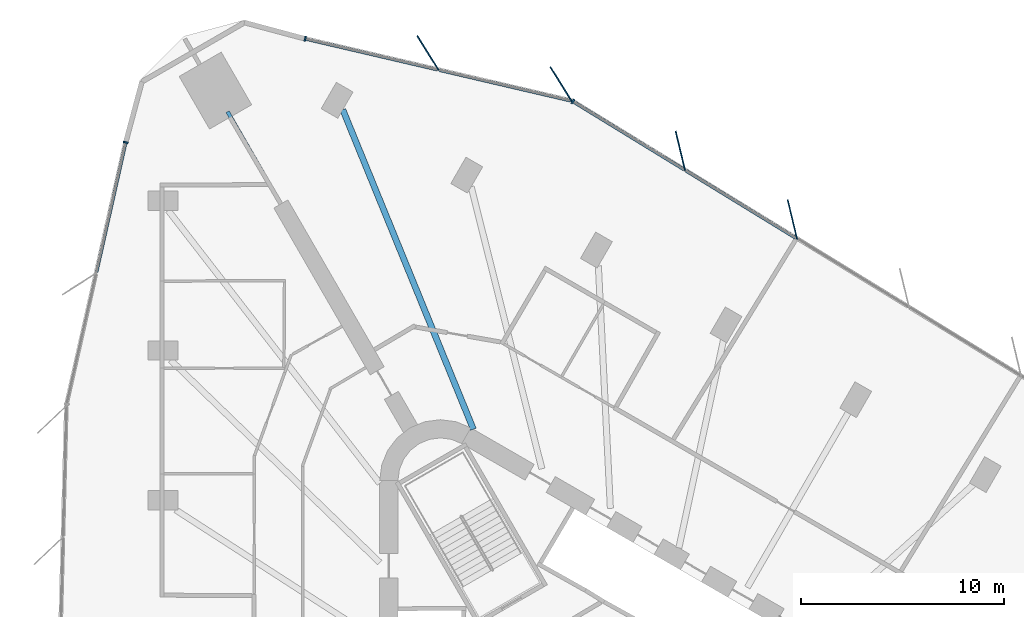
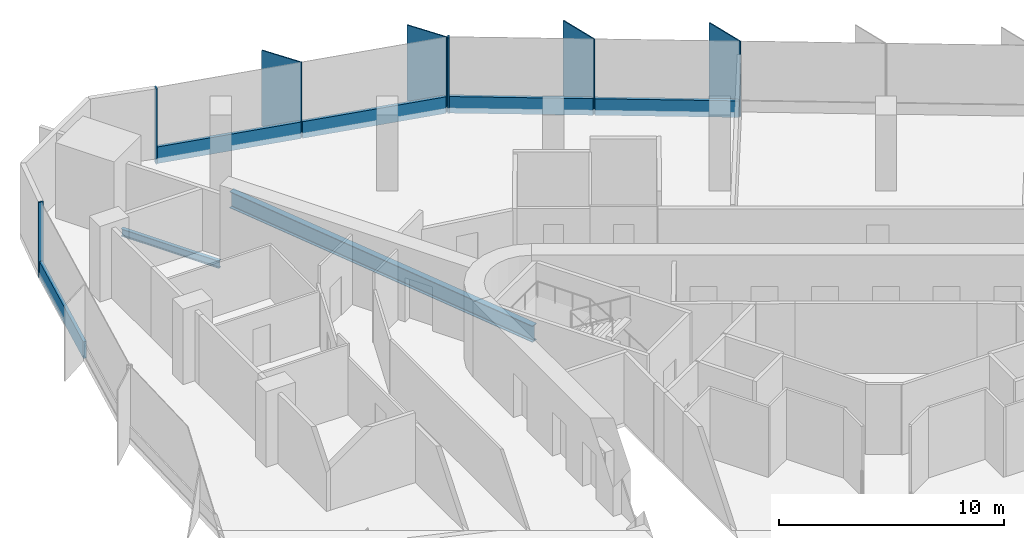
# One storey, part 7 of 14: 12 members, 2 beams, 3 elements without a shape of their own.
"""IFC4 building model written with IfcOpenShell, lengths in metres."""

import ifcopenshell
import ifcopenshell.guid

model = None  # the IFC model being written
_history = None  # IfcOwnerHistory: only IFC2X3 demands one
_inside = {}  # id of a spatial element -> (the spatial element, [elements in it])
_under = {}  # id of a project, library or spatial element -> (it, [spatial elements below it])
_declared = {}  # id of a project -> (the project, [libraries it declares])
_typed = {}  # id of a type object -> (the type object, [elements of that type])
_made_of = {}  # id of a material, layer set ... -> (it, [elements and type objects made of it])


def new_model(schema):
    """Start an empty IFC model of exactly this schema.

    Asked for "IFC4X3", IfcOpenShell would pick the latest addendum, in which some entities
    have other attributes; the version numbers below select the first issue.
    IFC2X3 requires an IfcOwnerHistory on every rooted entity: one is made here for all.
    """
    global model, _history
    if schema == "IFC4X3":
        model = ifcopenshell.file(schema_version=(4, 3, 0, 0))
    else:
        model = ifcopenshell.file(schema=schema)
    _inside.clear()
    _under.clear()
    _declared.clear()
    _typed.clear()
    _made_of.clear()
    _history = None
    if model.schema == "IFC2X3":
        org = make("IfcOrganization", Name="unknown")
        user = make(
            "IfcPersonAndOrganization",
            ThePerson=make("IfcPerson", FamilyName="unknown"),
            TheOrganization=org,
        )
        app = make(
            "IfcApplication",
            ApplicationDeveloper=org,
            Version="unknown",
            ApplicationFullName="unknown",
            ApplicationIdentifier="unknown",
        )
        _history = make(
            "IfcOwnerHistory",
            OwningUser=user,
            OwningApplication=app,
            ChangeAction="ADDED",
            CreationDate=0,
        )
    return model


def make(cls, **values):
    """One entity of the class cls with the attributes given. An attribute that is None is left unset."""
    return model.create_entity(
        cls, **{name: value for name, value in values.items() if value is not None}
    )


def rooted(cls, **values):
    """An entity with a GlobalId (a new one), such as an element, a storey or a relation."""
    return make(cls, GlobalId=ifcopenshell.guid.new(), OwnerHistory=_history, **values)


def si_unit(unit_type, name, prefix=None):
    """IfcSIUnit, for example si_unit("LENGTHUNIT", "METRE", prefix="MILLI")."""
    return make("IfcSIUnit", UnitType=unit_type, Prefix=prefix, Name=name)


def assignment(units):
    """IfcUnitAssignment: the units of a project."""
    return None if units is None else make("IfcUnitAssignment", Units=units)


def point(xyz):
    """IfcCartesianPoint."""
    return None if xyz is None else make("IfcCartesianPoint", Coordinates=xyz)


def direction(xyz):
    """IfcDirection."""
    return None if xyz is None else make("IfcDirection", DirectionRatios=xyz)


def frame(location, z_axis=None, x_axis=None):
    """IfcAxis2Placement3D, a coordinate frame: its origin and axes. An axis left out is left unset."""
    return make(
        "IfcAxis2Placement3D",
        Location=point(location),
        Axis=direction(z_axis),
        RefDirection=direction(x_axis),
    )


def frame_2d(location, x_axis=None):
    """IfcAxis2Placement2D, a coordinate frame in the plane: its origin and x axis."""
    return make(
        "IfcAxis2Placement2D", Location=point(location), RefDirection=direction(x_axis)
    )


def origin():
    """The frame at (0, 0, 0) with its axes left unset."""
    return frame((0.0, 0.0, 0.0))


def origin_2d():
    """The frame at (0, 0) in the plane with its x axis left unset."""
    return frame_2d((0.0, 0.0))


def place(relative_to, where):
    """IfcLocalPlacement: puts the frame where relative to a parent placement (None: the world)."""
    return make(
        "IfcLocalPlacement", PlacementRelTo=relative_to, RelativePlacement=where
    )


def context(
    kind, dimensions, precision=None, world=None, true_north=None, identifier=None
):
    """IfcGeometricRepresentationContext, for example the 3D "Model" context."""
    return make(
        "IfcGeometricRepresentationContext",
        ContextIdentifier=identifier,
        ContextType=kind,
        CoordinateSpaceDimension=dimensions,
        Precision=precision,
        WorldCoordinateSystem=world,
        TrueNorth=true_north,
    )


def subcontext(parent, identifier, kind, view, scale=None):
    """IfcGeometricRepresentationSubContext, for example "Body" below "Model"."""
    return make(
        "IfcGeometricRepresentationSubContext",
        ContextIdentifier=identifier,
        ContextType=kind,
        ParentContext=parent,
        TargetScale=scale,
        TargetView=view,
    )


def project(units=None, contexts=None):
    """IfcProject with its units and contexts."""
    return rooted(
        "IfcProject",
        Name="project",
        RepresentationContexts=contexts,
        UnitsInContext=assignment(units),
    )


def spatial(cls, under=None, at=None, **own):
    """A site, building, storey or space (cls), placed at a placement, below another one or the project."""
    s = rooted(cls, ObjectPlacement=at, **own)
    if under is not None:
        _under.setdefault(under.id(), (under, []))[1].append(s)
    return s


def profile(cls, at=None, kind="AREA", **sizes):
    """A parametric profile (cls). Its sizes go by their IFC names, for example OverallWidth=200.0."""
    return make(cls, ProfileType=kind, Position=at, **sizes)


def rectangle(**sizes):
    """IfcRectangleProfileDef."""
    return profile("IfcRectangleProfileDef", **sizes)


def i_section(**sizes):
    """IfcIShapeProfileDef."""
    return profile("IfcIShapeProfileDef", **sizes)


def extrude(swept, where, along, depth):
    """IfcExtrudedAreaSolid: the profile swept, set in the frame where, extruded along a direction by depth."""
    return make(
        "IfcExtrudedAreaSolid",
        SweptArea=swept,
        Position=where,
        ExtrudedDirection=direction(along),
        Depth=depth,
    )


def shape(context_of_items, identifier, shape_type, items):
    """IfcShapeRepresentation: the items that make up one representation, for example the "Body"."""
    return make(
        "IfcShapeRepresentation",
        ContextOfItems=context_of_items,
        RepresentationIdentifier=identifier,
        RepresentationType=shape_type,
        Items=items,
    )


def material(Name=None, Category=None):
    """IfcMaterial."""
    return make("IfcMaterial", Name=Name, Category=Category)


def material_profile(
    of_material, cross_section, Name=None, Category=None, Priority=None
):
    """IfcMaterialProfile: a cross section and its material."""
    return make(
        "IfcMaterialProfile",
        Name=Name,
        Material=of_material,
        Profile=cross_section,
        Priority=Priority,
        Category=Category,
    )


def profile_set(profiles, Name=None, composite=None):
    """IfcMaterialProfileSet."""
    return make(
        "IfcMaterialProfileSet",
        Name=Name,
        MaterialProfiles=profiles,
        CompositeProfile=composite,
    )


def made_of(thing, what):
    """Note that an element or type object is made of a material, layer set ...; save() writes the relation."""
    if what is not None:
        _made_of.setdefault(what.id(), (what, []))[1].append(thing)
    return thing


def type_object(cls, material=None, **own):
    """A type object (cls), such as IfcWallType, which elements share."""
    return made_of(rooted(cls, **own), material)


def element(
    cls,
    number,
    at=None,
    inside=None,
    cuts=None,
    type_object=None,
    material=None,
    context=None,
    identifier="Body",
    shape_type=None,
    held_by="IfcProductDefinitionShape",
    body=None,
    shapes=None,
    **own,
):
    """One element of the class cls, such as IfcWall. Its Tag is "e" and its number.

    at: its placement. inside: the storey or other place that contains it. cuts: it is an
    opening in that element (IfcRelVoidsElement). A single representation is given by context,
    identifier, shape_type and body (its items); several are given by shapes. held_by: the class
    of the entity that holds the representations. save() writes the other relations.
    """
    e = rooted(cls, Tag="e%d" % number, ObjectPlacement=at, **own)
    if body is not None:
        shapes = [shape(context, identifier, shape_type, body)]
    if shapes is not None:
        e.Representation = make(held_by, Representations=shapes)
    if inside is not None:
        _inside.setdefault(inside.id(), (inside, []))[1].append(e)
    if cuts is not None:
        rooted(
            "IfcRelVoidsElement", RelatingBuildingElement=cuts, RelatedOpeningElement=e
        )
    if type_object is not None:
        _typed.setdefault(type_object.id(), (type_object, []))[1].append(e)
    return made_of(e, material)


def aggregate(whole, parts):
    """IfcRelAggregates: a whole, such as a stair, and the parts it consists of."""
    return rooted("IfcRelAggregates", RelatingObject=whole, RelatedObjects=parts)


def save(model, path):
    """Write the relations noted so far, then the file.

    IfcRelAggregates (storeys below a building ...), IfcRelContainedInSpatialStructure (elements
    in a storey), IfcRelDefinesByType, IfcRelAssociatesMaterial and IfcRelDeclares: one each for
    every whole, place, type object, material and project.
    """
    for whole, parts in _under.values():
        aggregate(whole, parts)
    for where, things in _inside.values():
        rooted(
            "IfcRelContainedInSpatialStructure",
            RelatedElements=things,
            RelatingStructure=where,
        )
    for kind, things in _typed.values():
        rooted("IfcRelDefinesByType", RelatedObjects=things, RelatingType=kind)
    for what, things in _made_of.values():
        rooted("IfcRelAssociatesMaterial", RelatedObjects=things, RelatingMaterial=what)
    for by, libraries in _declared.values():
        rooted("IfcRelDeclares", RelatingContext=by, RelatedDefinitions=libraries)
    model.write(path)


model = new_model("IFC4")

# Units and contexts
model_context = context("Model", 3, precision=1e-05, world=origin(), true_north=direction((0.0, 1.0)))
body_context = subcontext(model_context, "Body", "Model", "MODEL_VIEW")
ifc_project = project(units=[si_unit("LENGTHUNIT", "METRE"), si_unit("AREAUNIT", "SQUARE_METRE"), si_unit("VOLUMEUNIT", "CUBIC_METRE"), si_unit("PLANEANGLEUNIT", "RADIAN"), si_unit("MASSUNIT", "GRAM", prefix="KILO")], contexts=[model_context])

# Site, building, storey
site_placement = place(None, origin())
site = spatial("IfcSite", under=ifc_project, at=site_placement, CompositionType="ELEMENT")
building_placement = place(site_placement, origin())
building = spatial("IfcBuilding", under=site, at=building_placement, Name="Tanit Gate Tower", CompositionType="ELEMENT")
storey_placement = place(building_placement, frame((0.0, 0.0, 119.300048828125)))
storey = spatial("IfcBuildingStorey", under=building, at=storey_placement, Name="L25", CompositionType="ELEMENT", Elevation=119.300048828125)

# Curtain wall, members
ifc_material_1 = material(Name="Aluminium bronze anodised and glass", Category="aluminium")
curtain_wall_type = type_object("IfcCurtainWallType", Name="Curtain wall typical low", PredefinedType="NOTDEFINED", material=ifc_material_1)
curtain_wall_1_placement = place(storey_placement, origin())
curtain_wall_1 = element("IfcCurtainWall", 1, at=curtain_wall_1_placement, inside=storey, type_object=curtain_wall_type, Name="Curtain wall L25 NE2", PredefinedType="NOTDEFINED")
ifc_material_2 = material(Name="Aluminium bronze anodised", Category="aluminium")
ifc_material_profile_1 = material_profile(ifc_material_2, rectangle(XDim=2.0, YDim=0.055908203125, at=origin_2d()), Name="56x2000 bronze fin mullion")
ifc_profile_set_1 = profile_set([ifc_material_profile_1], Name="Aluminium bronze anodised")
member_type_1 = type_object("IfcMemberType", Name="FIN MULLION 56x2000 bronze", PredefinedType="MULLION", material=ifc_profile_set_1)
member_1_placement = place(storey_placement, frame((8.274169921875, 28.646484375, -0.300048828125), z_axis=(0.0, 0.0, 1.0), x_axis=(0.23355666729, -0.97234319207, 0.0)))
member_1 = element("IfcMember", 2, at=member_1_placement, type_object=member_type_1, Name="Fin mullion L25 NE2.5", PredefinedType="MULLION", context=body_context, shape_type="SweptSolid", body=[
    extrude(rectangle(XDim=2.0, YDim=0.055908203125, at=origin_2d()), origin(), (0.0, 0.0, 1.0), 4.10009765625),
])
member_2_placement = place(storey_placement, frame((2.7421875, 32.03564453125, -0.300048828125), z_axis=(0.0, 0.0, 1.0), x_axis=(0.23355666729, -0.97234319207, 0.0)))
member_2 = element("IfcMember", 3, at=member_2_placement, type_object=member_type_1, Name="Fin mullion L25 NE2.6", PredefinedType="MULLION", context=body_context, shape_type="SweptSolid", body=[
    extrude(rectangle(XDim=2.0, YDim=0.055908203125, at=origin_2d()), origin(), (0.0, 0.0, 1.0), 4.10009765625),
])

curtain_wall_2_placement = place(storey_placement, origin())
curtain_wall_2 = element("IfcCurtainWall", 4, at=curtain_wall_2_placement, inside=storey, type_object=curtain_wall_type, Name="Curtain wall L25 NE3", PredefinedType="NOTDEFINED")
member_3_placement = place(storey_placement, frame((-3.15087890625, 35.334228515625, -0.300048828125), z_axis=(0.0, 0.0, 1.0), x_axis=(0.528085925878, -0.849190941361, 0.0)))
member_3 = element("IfcMember", 5, at=member_3_placement, type_object=member_type_1, Name="Fin mullion L25 NE3.1", PredefinedType="MULLION", context=body_context, shape_type="SweptSolid", body=[
    extrude(rectangle(XDim=2.0, YDim=0.055908203125, at=origin_2d()), origin(), (0.0, 0.0, 1.0), 4.10009765625),
])
member_4_placement = place(storey_placement, frame((-9.722412109375, 36.866455078125, -0.300048828125), z_axis=(0.0, 0.0, 1.0), x_axis=(0.528085925878, -0.849190941361, 0.0)))
member_4 = element("IfcMember", 6, at=member_4_placement, type_object=member_type_1, Name="Fin mullion L25 NE3.2", PredefinedType="MULLION", context=body_context, shape_type="SweptSolid", body=[
    extrude(rectangle(XDim=2.0, YDim=0.055908203125, at=origin_2d()), origin(), (0.0, 0.0, 1.0), 4.10009765625),
])

# Member
ifc_material_3 = material(Name="Aluminium bronze anodised", Category="aluminium")
ifc_material_profile_2 = material_profile(ifc_material_3, rectangle(XDim=0.239990234375, YDim=0.080078125, at=origin_2d()), Name="80x240 bronze mullion")
ifc_profile_set_2 = profile_set([ifc_material_profile_2], Name="Aluminium bronze anodised")
member_type_2 = type_object("IfcMemberType", Name="Mullion 80x240 typical low", PredefinedType="MULLION", material=ifc_profile_set_2)
member_5_placement = place(storey_placement, frame((-2.5615234375, 34.474365234375, -0.300048828125), z_axis=(0.0, 0.0, 1.0), x_axis=(-0.522400961521, -0.852699967985, 0.0)))
member_5 = element("IfcMember", 7, at=member_5_placement, type_object=member_type_2, Name="Mullion L25 NE2.7", PredefinedType="MULLION", context=body_context, shape_type="SweptSolid", body=[
    extrude(rectangle(XDim=0.239990234375, YDim=0.080078125, at=origin_2d()), origin(), (0.0, 0.0, 1.0), 4.10009765625),
])

member_6_placement = place(storey_placement, frame((-15.778076171875, 37.568603515625, -0.300048828125), z_axis=(0.0, 0.0, 1.0), x_axis=(-0.227055533921, -0.973881812396, 0.0)))
member_6 = element("IfcMember", 8, at=member_6_placement, type_object=member_type_2, Name="Mullion L25 NE3.3", PredefinedType="MULLION", context=body_context, shape_type="SweptSolid", body=[
    extrude(rectangle(XDim=0.239990234375, YDim=0.080078125, at=origin_2d()), origin(), (0.0, 0.0, 1.0), 4.10009765625),
])

# Curtain wall, member
curtain_wall_3_placement = place(storey_placement, origin())
curtain_wall_3 = element("IfcCurtainWall", 9, at=curtain_wall_3_placement, inside=storey, type_object=curtain_wall_type, Name="Curtain wall L25 W1", PredefinedType="NOTDEFINED")
member_7_placement = place(storey_placement, frame((-24.642333984375, 32.451904296875, -0.300048828125), z_axis=(0.0, 0.0, 1.0), x_axis=(0.975577194321, -0.21965686404, 0.0)))
member_7 = element("IfcMember", 10, at=member_7_placement, type_object=member_type_2, Name="Mullion L25 W1.1", PredefinedType="MULLION", context=body_context, shape_type="SweptSolid", body=[
    extrude(rectangle(XDim=0.239990234375, YDim=0.080078125, at=origin_2d()), origin(), (0.0, 0.0, 1.0), 4.10009765625),
])

# Beams
ifc_material_4 = material(Name="Steel S355", Category="steel")
ifc_material_profile_3 = material_profile(ifc_material_4, i_section(OverallWidth=0.300048828125, OverallDepth=0.889892578125, WebThickness=0.01611328125, FlangeThickness=0.030029296875, FilletRadius=0.030029296875, at=origin_2d()), Name="HEA 900")
ifc_profile_set_3 = profile_set([ifc_material_profile_3], Name="Steel S355")
beam_type_1 = type_object("IfcBeamType", Name="RADIAL GIRDER HEA 900 S355", PredefinedType="BEAM", material=ifc_profile_set_3)
beam_1_placement = place(storey_placement, frame((-13.9228515625, 34.06640625, -0.7451171875), z_axis=(0.378315448854, -0.925676736857, 0.0), x_axis=(0.925676736857, 0.378315448854, 0.0)))
element("IfcBeam", 11, at=beam_1_placement, inside=storey, type_object=beam_type_1, Name="RADIAL GIRDER", PredefinedType="BEAM", context=body_context, shape_type="SweptSolid", body=[
    extrude(i_section(OverallWidth=0.300048828125, OverallDepth=0.889892578125, WebThickness=0.01611328125, FlangeThickness=0.030029296875, FilletRadius=0.030029296875, at=origin_2d()), origin(), (0.0, 0.0, 1.0), 17.043212890625),
])
ifc_material_5 = material(Name="Steel S355", Category="steel")
ifc_material_profile_4 = material_profile(ifc_material_5, i_section(OverallWidth=0.179931640625, OverallDepth=0.39990234375, WebThickness=0.008544921875, FlangeThickness=0.013427734375, FilletRadius=0.02099609375, at=origin_2d()), Name="IPE 400")
ifc_profile_set_4 = profile_set([ifc_material_profile_4], Name="Steel S355")
beam_type_2 = type_object("IfcBeamType", Name="RADIAL GIRDER IPE 400 S355", PredefinedType="BEAM", material=ifc_profile_set_4)
beam_2_placement = place(storey_placement, frame((-19.611572265625, 33.96826171875, -0.5), z_axis=(0.499994660107, -0.866028486751, 0.0), x_axis=(0.866028486751, 0.499994660107, 0.0)))
element("IfcBeam", 12, at=beam_2_placement, inside=storey, type_object=beam_type_2, Name="RADIAL GIRDER", PredefinedType="BEAM", context=body_context, shape_type="SweptSolid", body=[
    extrude(i_section(OverallWidth=0.179931640625, OverallDepth=0.39990234375, WebThickness=0.008544921875, FlangeThickness=0.013427734375, FilletRadius=0.02099609375, at=origin_2d()), origin(), (0.0, 0.0, 1.0), 5.04638671875),
])

# Member
ifc_material_6 = material(Name="Aluminium bronze anodised", Category="aluminium")
ifc_material_profile_5 = material_profile(ifc_material_6, rectangle(XDim=0.159912109375, YDim=0.89990234375, at=origin_2d()), Name="160x900 bronze transom")
ifc_profile_set_5 = profile_set([ifc_material_profile_5], Name="Aluminium bronze anodised")
member_type_3 = type_object("IfcMemberType", Name="Transom 160x900 typical low", PredefinedType="USERDEFINED", material=ifc_profile_set_5)
member_8_placement = place(storey_placement, frame((8.46826171875, 27.717041015625, 0.14990234375), z_axis=(-0.852705831089, 0.522391391225, 0.0), x_axis=(-0.522391391225, -0.852705831089, 0.0)))
member_8 = element("IfcMember", 13, at=member_8_placement, type_object=member_type_3, Name="Transom L25 NE2.5", ObjectType="TRANSOM", PredefinedType="USERDEFINED", context=body_context, shape_type="SweptSolid", body=[
    extrude(rectangle(XDim=0.159912109375, YDim=0.89990234375, at=origin_2d()), origin(), (0.0, 0.0, 1.0), 6.407470703125),
])

member_9_placement = place(storey_placement, frame((2.936279296875, 31.106201171875, 0.14990234375), z_axis=(-0.852705831089, 0.522391391225, 0.0), x_axis=(-0.522391391225, -0.852705831089, 0.0)))
member_9 = element("IfcMember", 14, at=member_9_placement, type_object=member_type_3, Name="Transom L25 NE2.6", ObjectType="TRANSOM", PredefinedType="USERDEFINED", context=body_context, shape_type="SweptSolid", body=[
    extrude(rectangle(XDim=0.159912109375, YDim=0.89990234375, at=origin_2d()), origin(), (0.0, 0.0, 1.0), 6.407470703125),
])

aggregate(curtain_wall_1, [member_1, member_2, member_5, member_8, member_9])

member_10_placement = place(storey_placement, frame((-2.673583984375, 34.513427734375, 0.14990234375), z_axis=(-0.973883325225, 0.22704904503, 0.0), x_axis=(-0.22704904503, -0.973883325225, 0.0)))
member_10 = element("IfcMember", 15, at=member_10_placement, type_object=member_type_3, Name="Transom L25 NE3.1", ObjectType="TRANSOM", PredefinedType="USERDEFINED", context=body_context, shape_type="SweptSolid", body=[
    extrude(rectangle(XDim=0.159912109375, YDim=0.89990234375, at=origin_2d()), origin(), (0.0, 0.0, 1.0), 6.667724609375),
])

member_11_placement = place(storey_placement, frame((-9.245361328125, 36.045654296875, 0.14990234375), z_axis=(-0.973883325225, 0.22704904503, 0.0), x_axis=(-0.22704904503, -0.973883325225, 0.0)))
member_11 = element("IfcMember", 16, at=member_11_placement, type_object=member_type_3, Name="Transom L25 NE3.2", ObjectType="TRANSOM", PredefinedType="USERDEFINED", context=body_context, shape_type="SweptSolid", body=[
    extrude(rectangle(XDim=0.159912109375, YDim=0.89990234375, at=origin_2d()), origin(), (0.0, 0.0, 1.0), 6.667724609375),
])

aggregate(curtain_wall_2, [member_3, member_4, member_6, member_10, member_11])

member_12_placement = place(storey_placement, frame((-24.651123046875, 32.412841796875, 0.14990234375), z_axis=(-0.219664987345, -0.975575365277, 0.0), x_axis=(0.975575365277, -0.219664987345, 0.0)))
member_12 = element("IfcMember", 17, at=member_12_placement, type_object=member_type_3, Name="Transom L25 W1.1", ObjectType="TRANSOM", PredefinedType="USERDEFINED", context=body_context, shape_type="SweptSolid", body=[
    extrude(rectangle(XDim=0.159912109375, YDim=0.89990234375, at=origin_2d()), origin(), (0.0, 0.0, 1.0), 6.53955078125),
])

aggregate(curtain_wall_3, [member_7, member_12])

save(model, "model.ifc")
